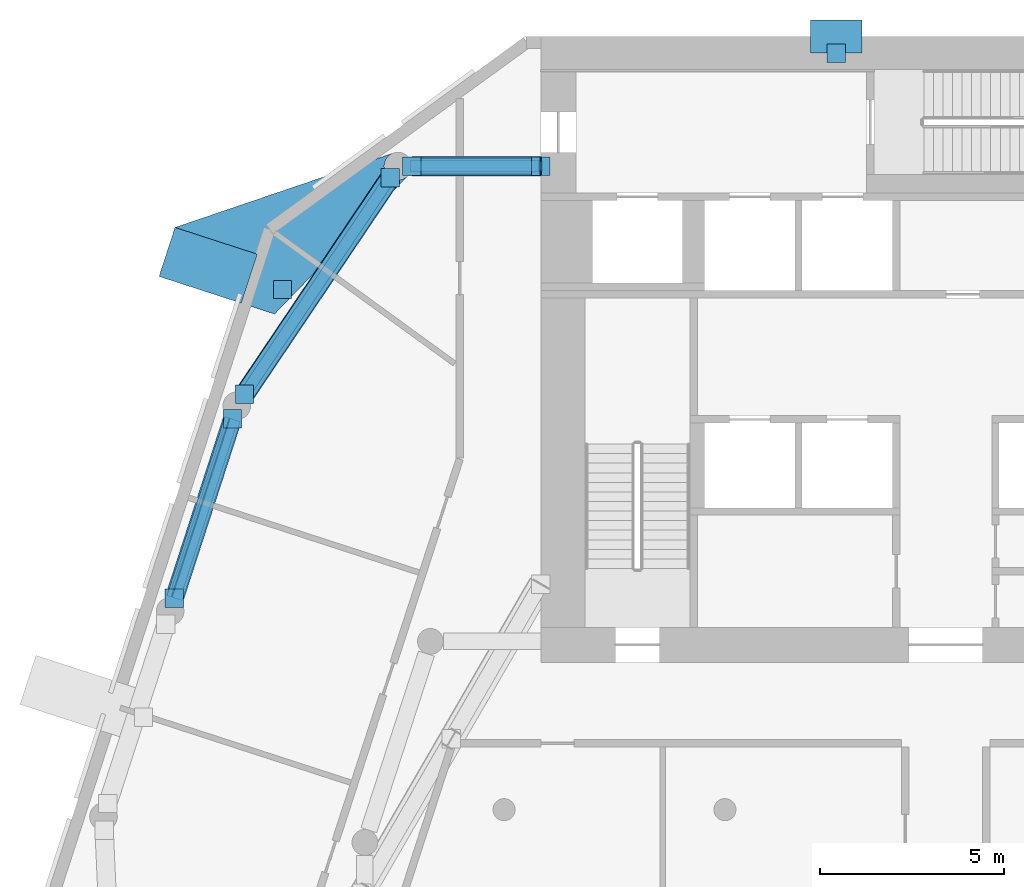
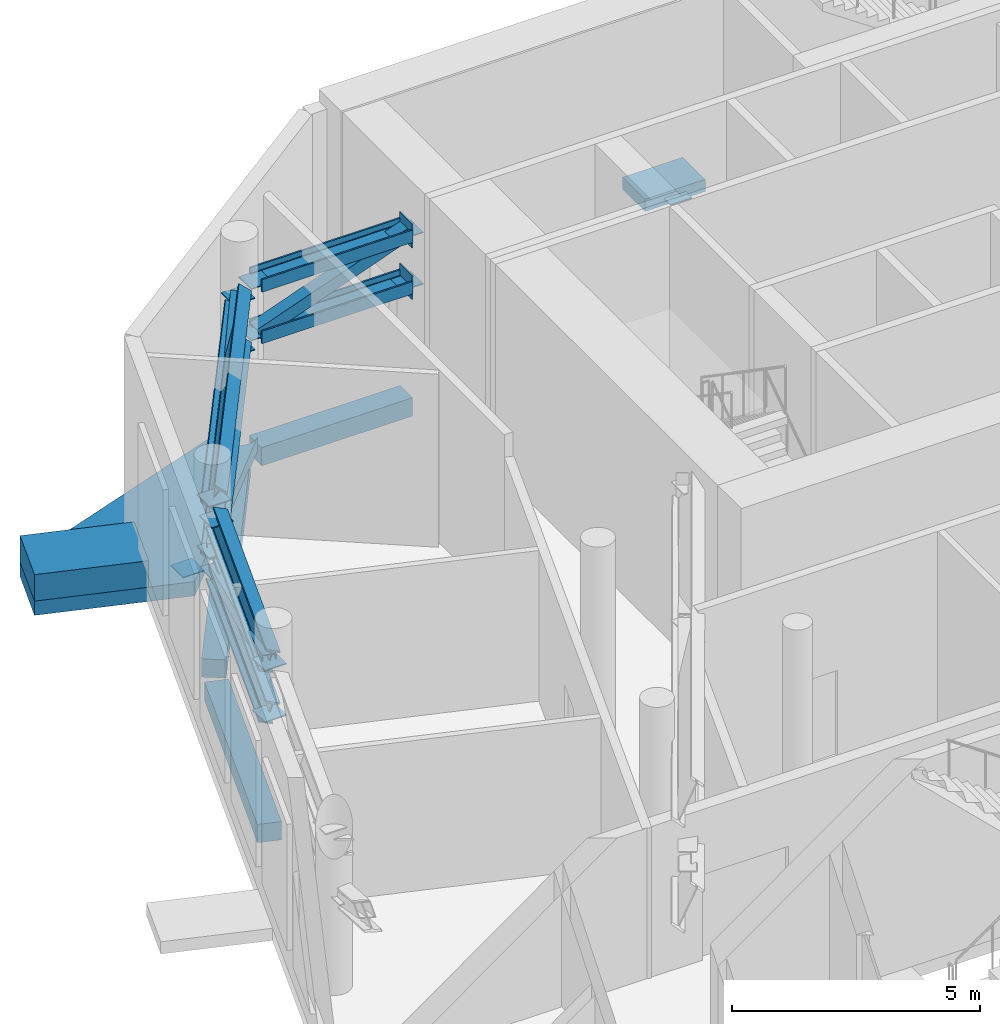
# One storey, part 6 of 17: 16 discrete accessories, 12 members, 3 beams.
"""IFC4 building model written with IfcOpenShell, lengths in metres."""

from ifc_helpers import new_model, si_unit, direction, frame, origin, origin_2d, place, context, subcontext, project, spatial, polyline, rectangle, hollow_rectangle, i_section, outline, extrude, material, layer, layer_set, material_profile, profile_set, type_object, element, aggregate, save


model = new_model("IFC4")

# Units and contexts
model_context = context("Model", 3, precision=1e-05, world=origin(), true_north=direction((0.0, 1.0)))
body_context = subcontext(model_context, "Body", "Model", "MODEL_VIEW")
ifc_project = project(units=[si_unit("LENGTHUNIT", "METRE"), si_unit("AREAUNIT", "SQUARE_METRE"), si_unit("VOLUMEUNIT", "CUBIC_METRE"), si_unit("PLANEANGLEUNIT", "RADIAN"), si_unit("MASSUNIT", "GRAM", prefix="KILO")], contexts=[model_context])

# Site, building, storey
site_placement = place(None, origin())
site = spatial("IfcSite", under=ifc_project, at=site_placement, CompositionType="ELEMENT")
building_placement = place(site_placement, origin())
building = spatial("IfcBuilding", under=site, at=building_placement, Name="White Candle Pilgrim Tower", CompositionType="ELEMENT")
storey_placement = place(building_placement, frame((0.0, 0.0, 191.5)))
storey = spatial("IfcBuildingStorey", under=building, at=storey_placement, Name="L44", CompositionType="ELEMENT", Elevation=191.5)

# Member
ifc_material_1 = material(Name="Steel S355", Category="steel")
ifc_material_profile_1 = material_profile(ifc_material_1, i_section(OverallWidth=0.305908203125, OverallDepth=0.52392578125, WebThickness=0.02099609375, FlangeThickness=0.0400390625, FilletRadius=0.027099609375, at=origin_2d()), Name="HEM 500")
ifc_profile_set_1 = profile_set([ifc_material_profile_1], Name="Steel S355")
member_type_1 = type_object("IfcMemberType", Name="Belt truss chord HEM 500 S355", PredefinedType="CHORD", material=ifc_profile_set_1)
member_1_placement = place(storey_placement, frame((55.4951171875, 84.47998046875, 2.412109375), z_axis=(1.0, 0.0, 0.0), x_axis=(0.0, 0.0, 1.0)))
member_1 = element("IfcMember", 1, at=member_1_placement, inside=storey, type_object=member_type_1, Name="L44 belt truss bottom chord 11", PredefinedType="CHORD", context=body_context, shape_type="SweptSolid", body=[
    extrude(i_section(OverallWidth=0.305908203125, OverallDepth=0.52392578125, WebThickness=0.02099609375, FlangeThickness=0.0400390625, FilletRadius=0.027099609375, at=origin_2d()), origin(), (0.0, 0.0, 1.0), 3.5048828125),
])

member_2_placement = place(storey_placement, frame((55.4951171875, 84.47998046875, 3.677978515625), z_axis=(1.0, 0.0, 0.0), x_axis=(0.0, 0.0, 1.0)))
member_2 = element("IfcMember", 2, at=member_2_placement, inside=storey, type_object=member_type_1, Name="L44 belt truss top chord 11", PredefinedType="CHORD", context=body_context, shape_type="SweptSolid", body=[
    extrude(i_section(OverallWidth=0.305908203125, OverallDepth=0.52392578125, WebThickness=0.02099609375, FlangeThickness=0.0400390625, FilletRadius=0.027099609375, at=origin_2d()), origin(), (0.0, 0.0, 1.0), 3.5048828125),
])

member_3_placement = place(storey_placement, frame((54.91064453125, 84.1689453125, 2.412109375), z_axis=(-0.55822018442, -0.82969285022, 0.0), x_axis=(0.688386541109, -0.463148816853, -0.558226784979)))
member_3 = element("IfcMember", 3, at=member_3_placement, inside=storey, type_object=member_type_1, Name="L44 belt truss bottom chord 12", PredefinedType="CHORD", context=body_context, shape_type="SweptSolid", body=[
    extrude(i_section(OverallWidth=0.305908203125, OverallDepth=0.52392578125, WebThickness=0.02099609375, FlangeThickness=0.0400390625, FilletRadius=0.027099609375, at=origin_2d()), origin(), (0.0, 0.0, 1.0), 7.096435546875),
])

member_4_placement = place(storey_placement, frame((54.91064453125, 84.1689453125, 3.677978515625), z_axis=(-0.55822018442, -0.82969285022, 0.0), x_axis=(0.688386541109, -0.463148816853, -0.558226784979)))
member_4 = element("IfcMember", 4, at=member_4_placement, inside=storey, type_object=member_type_1, Name="L44 belt truss top chord 12", PredefinedType="CHORD", context=body_context, shape_type="SweptSolid", body=[
    extrude(i_section(OverallWidth=0.305908203125, OverallDepth=0.52392578125, WebThickness=0.02099609375, FlangeThickness=0.0400390625, FilletRadius=0.027099609375, at=origin_2d()), origin(), (0.0, 0.0, 1.0), 7.096435546875),
])

member_5_placement = place(storey_placement, frame((50.624267578125, 77.61328125, 2.412109375), z_axis=(-0.308544373382, -0.951209950355, 0.0), x_axis=(0.904802878011, -0.293491291724, -0.308536243617)))
member_5 = element("IfcMember", 5, at=member_5_placement, inside=storey, type_object=member_type_1, Name="L44 belt truss bottom chord 13", PredefinedType="CHORD", context=body_context, shape_type="SweptSolid", body=[
    extrude(i_section(OverallWidth=0.305908203125, OverallDepth=0.52392578125, WebThickness=0.02099609375, FlangeThickness=0.0400390625, FilletRadius=0.027099609375, at=origin_2d()), origin(), (0.0, 0.0, 1.0), 5.1162109375),
])

member_6_placement = place(storey_placement, frame((50.624267578125, 77.61328125, 3.677978515625), z_axis=(-0.308544373382, -0.951209950355, 0.0), x_axis=(0.904802878011, -0.293491291724, -0.308536243617)))
member_6 = element("IfcMember", 6, at=member_6_placement, inside=storey, type_object=member_type_1, Name="L44 belt truss top chord 13", PredefinedType="CHORD", context=body_context, shape_type="SweptSolid", body=[
    extrude(i_section(OverallWidth=0.305908203125, OverallDepth=0.52392578125, WebThickness=0.02099609375, FlangeThickness=0.0400390625, FilletRadius=0.027099609375, at=origin_2d()), origin(), (0.0, 0.0, 1.0), 5.1162109375),
])

# Members
ifc_material_profile_2 = material_profile(ifc_material_1, hollow_rectangle(XDim=0.300048828125, YDim=0.300048828125, WallThickness=0.01611328125, at=origin_2d()), Name="SHS 300x300x16")
ifc_profile_set_2 = profile_set([ifc_material_profile_2], Name="Steel S355")
member_type_2 = type_object("IfcMemberType", Name="Belt truss diagonal SHS 300x300x16 S355", PredefinedType="BRACE", material=ifc_profile_set_2)
member_7_placement = place(storey_placement, frame((55.4951171875, 84.47998046875, 2.412109375), z_axis=(0.940535294665, 0.0, 0.339695980972), x_axis=(0.0, 1.0, 0.0)))
element("IfcMember", 7, at=member_7_placement, inside=storey, type_object=member_type_2, Name="L44 belt truss diagonal 11", PredefinedType="BRACE", context=body_context, shape_type="SweptSolid", body=[
    extrude(hollow_rectangle(XDim=0.300048828125, YDim=0.300048828125, WallThickness=0.01611328125, at=origin_2d()), origin(), (0.0, 0.0, 1.0), 3.7265625),
])
member_8_placement = place(storey_placement, frame((54.91064453125, 84.1689453125, 3.677978515625), z_axis=(-0.549545668384, -0.816799758684, -0.175606698544), x_axis=(0.82969285022, -0.55822018442, 0.0)))
element("IfcMember", 8, at=member_8_placement, inside=storey, type_object=member_type_2, Name="L44 belt truss diagonal 12", PredefinedType="BRACE", context=body_context, shape_type="SweptSolid", body=[
    extrude(hollow_rectangle(XDim=0.300048828125, YDim=0.300048828125, WallThickness=0.01611328125, at=origin_2d()), origin(), (0.0, 0.0, 1.0), 7.20849609375),
])
member_9_placement = place(storey_placement, frame((50.624267578125, 77.61328125, 2.412109375), z_axis=(-0.299513111778, -0.923367517814, 0.240175608501), x_axis=(0.951209950355, -0.308544373382, 0.0)))
element("IfcMember", 9, at=member_9_placement, inside=storey, type_object=member_type_2, Name="L44 belt truss diagonal 13", PredefinedType="BRACE", context=body_context, shape_type="SweptSolid", body=[
    extrude(hollow_rectangle(XDim=0.300048828125, YDim=0.300048828125, WallThickness=0.01611328125, at=origin_2d()), origin(), (0.0, 0.0, 1.0), 5.2705078125),
])

# Member
ifc_material_2 = material(Name="Concrete C70/85, white", Category="concrete")
ifc_layer_1 = layer(ifc_material_2, 0.300048828125)
ifc_layer_set_1 = layer_set([ifc_layer_1], Name="Node tie strut 3300x1400x300 C70/85")
member_type_3 = type_object("IfcMemberType", Name="Node tie strut 3300x1400x300 C70/85", PredefinedType="STRUT", material=ifc_layer_set_1)
member_10_placement = place(storey_placement, frame((0.0, 0.0, -0.35009765625)))
member_10 = element("IfcMember", 10, at=member_10_placement, inside=storey, type_object=member_type_3, Name="Node tie strut NC149", PredefinedType="STRUT", context=body_context, shape_type="SweptSolid", body=[
    extrude(outline(polyline([(51.76708984375, 80.464111328125), (55.38525390625, 84.21484375), (55.3671875, 84.197998046875), (55.348388671875, 84.1826171875), (55.328369140625, 84.168212890625), (55.3076171875, 84.1552734375), (55.285888671875, 84.143798828125), (55.263427734375, 84.133544921875), (55.240478515625, 84.125), (55.217041015625, 84.117919921875), (55.193115234375, 84.1123046875), (55.1689453125, 84.108154296875), (55.14453125, 84.105712890625), (55.1201171875, 84.10498046875), (55.095458984375, 84.105712890625), (55.071044921875, 84.108154296875), (55.046875, 84.1123046875), (55.02294921875, 84.117919921875), (54.99951171875, 84.125), (54.9765625, 84.133544921875), (54.9541015625, 84.143798828125), (54.9326171875, 84.1552734375), (54.91162109375, 84.168212890625), (54.8916015625, 84.1826171875), (54.872802734375, 84.197998046875), (54.854736328125, 84.21484375), (54.838134765625, 84.232666015625), (54.822509765625, 84.251708984375), (54.80810546875, 84.271728515625), (54.795166015625, 84.29248046875), (54.78369140625, 84.314208984375), (54.7734375, 84.33642578125), (54.764892578125, 84.359619140625), (54.7578125, 84.3828125), (54.752197265625, 84.40673828125), (54.748291015625, 84.43115234375), (54.745849609375, 84.45556640625), (54.7451171875, 84.47998046875), (54.745849609375, 84.50439453125), (54.748291015625, 84.52880859375), (54.752197265625, 84.55322265625), (54.7578125, 84.5771484375), (54.764892578125, 84.6005859375), (54.7734375, 84.62353515625), (54.78369140625, 84.64599609375), (54.795166015625, 84.66748046875), (54.80810546875, 84.688232421875), (54.822509765625, 84.708251953125), (54.838134765625, 84.727294921875), (54.854736328125, 84.7451171875), (54.872802734375, 84.761962890625), (54.8916015625, 84.777587890625), (54.91162109375, 84.791748046875), (54.9326171875, 84.8046875), (54.9541015625, 84.81640625), (54.9765625, 84.826416015625), (54.99951171875, 84.835205078125), (49.061279296875, 82.8154296875), (48.628662109375, 81.48388671875), (51.76708984375, 80.464111328125)])), origin(), (0.0, 0.0, 1.0), 0.35009765625),
])

member_11_placement = place(storey_placement, origin())
element("IfcMember", 11, at=member_11_placement, inside=storey, type_object=member_type_3, Name="Node tie strut NC149", PredefinedType="STRUT", context=body_context, shape_type="SweptSolid", body=[
    extrude(outline(polyline([(50.86376953125, 80.7578125), (51.29638671875, 82.089111328125), (49.061279296875, 82.8154296875), (48.628662109375, 81.48388671875), (50.86376953125, 80.7578125)])), origin(), (0.0, 0.0, 1.0), 0.64990234375),
])

ifc_layer_2 = layer(ifc_material_2, 0.300048828125)
ifc_layer_set_2 = layer_set([ifc_layer_2], Name="Node tie strut 900x1400x300 C70/85")
member_type_4 = type_object("IfcMemberType", Name="Node tie strut 900x1400x300 C70/85", PredefinedType="STRUT", material=ifc_layer_set_2)
member_12_placement = place(storey_placement, frame((67.02099609375, 88.0, -0.2998046875), z_axis=(0.0, 0.0, 1.0), x_axis=(-1.0, 0.0, 0.0)))
member_12 = element("IfcMember", 12, at=member_12_placement, inside=storey, type_object=member_type_4, Name="Node tie strut NC144", PredefinedType="STRUT", context=body_context, shape_type="SweptSolid", body=[
    extrude(rectangle(XDim=1.39990234375, YDim=0.89990234375, at=origin_2d()), origin(), (0.0, 0.0, 1.0), 0.300048828125),
])

# Beams
ifc_material_3 = material(Name="Concrete C50/60", Category="concrete")
ifc_material_profile_3 = material_profile(ifc_material_3, rectangle(XDim=0.5, YDim=0.449951171875, at=origin_2d()), Name="RC-BM 500x450")
ifc_profile_set_3 = profile_set([ifc_material_profile_3], Name="Concrete C50/60")
beam_type = type_object("IfcBeamType", Name="Spandrel beam RC-BM 500x450 C50/60", PredefinedType="BEAM", material=ifc_profile_set_3)
beam_1_placement = place(storey_placement, frame((55.4951171875, 84.47998046875, -0.52490234375), z_axis=(1.0, 0.0, 0.0), x_axis=(0.0, 1.0, 0.0)))
element("IfcBeam", 13, at=beam_1_placement, inside=storey, type_object=beam_type, Name="L44 spandrel beam T11", PredefinedType="BEAM", context=body_context, shape_type="SweptSolid", body=[
    extrude(rectangle(XDim=0.5, YDim=0.449951171875, at=origin_2d()), origin(), (0.0, 0.0, 1.0), 3.5048828125),
])
beam_2_placement = place(storey_placement, frame((54.91064453125, 84.1689453125, -0.52490234375), z_axis=(-0.55822018442, -0.82969285022, 0.0), x_axis=(0.82969285022, -0.55822018442, 0.0)))
element("IfcBeam", 14, at=beam_2_placement, inside=storey, type_object=beam_type, Name="L44 spandrel beam T12", PredefinedType="BEAM", context=body_context, shape_type="SweptSolid", body=[
    extrude(rectangle(XDim=0.5, YDim=0.449951171875, at=origin_2d()), origin(), (0.0, 0.0, 1.0), 7.096435546875),
])
beam_3_placement = place(storey_placement, frame((50.624267578125, 77.61328125, -0.52490234375), z_axis=(-0.308544373382, -0.951209950355, 0.0), x_axis=(0.951209950355, -0.308544373382, 0.0)))
element("IfcBeam", 15, at=beam_3_placement, inside=storey, type_object=beam_type, Name="L44 spandrel beam T13", PredefinedType="BEAM", context=body_context, shape_type="SweptSolid", body=[
    extrude(rectangle(XDim=0.5, YDim=0.449951171875, at=origin_2d()), origin(), (0.0, 0.0, 1.0), 5.1162109375),
])

# Discrete accessory
ifc_layer_3 = layer(ifc_material_1, 0.030029296875)
ifc_layer_set_3 = layer_set([ifc_layer_3], Name="Cast-in plate 500x600x30 S355")
discrete_accessory_type_1 = type_object("IfcDiscreteAccessoryType", Name="Cast-in plate 500x600x30 S355", PredefinedType="ANCHORPLATE", material=ifc_layer_set_3)
discrete_accessory_1_placement = place(storey_placement, frame((59.0, 84.47998046875, 2.112060546875), z_axis=(0.0, 0.0, 1.0), x_axis=(-1.0, 0.0, 0.0)))
discrete_accessory_1 = element("IfcDiscreteAccessory", 16, at=discrete_accessory_1_placement, type_object=discrete_accessory_type_1, Name="Cast-in plate 0023", PredefinedType="ANCHORPLATE", context=body_context, shape_type="SweptSolid", body=[
    extrude(rectangle(XDim=0.030029296875, YDim=0.5, at=origin_2d()), origin(), (0.0, 0.0, 1.0), 0.60009765625),
])

discrete_accessory_2_placement = place(storey_placement, frame((59.0, 84.47998046875, 3.3779296875), z_axis=(0.0, 0.0, 1.0), x_axis=(-1.0, 0.0, 0.0)))
discrete_accessory_2 = element("IfcDiscreteAccessory", 17, at=discrete_accessory_2_placement, type_object=discrete_accessory_type_1, Name="Cast-in plate 0024", PredefinedType="ANCHORPLATE", context=body_context, shape_type="SweptSolid", body=[
    extrude(rectangle(XDim=0.030029296875, YDim=0.5, at=origin_2d()), origin(), (0.0, 0.0, 1.0), 0.60009765625),
])

ifc_layer_4 = layer(ifc_material_1, 0.02490234375)
ifc_layer_set_4 = layer_set([ifc_layer_4], Name="Gusset plate 500x500x25 S355")
discrete_accessory_type_2 = type_object("IfcDiscreteAccessoryType", Name="Gusset plate 500x500x25 S355", PredefinedType="BRACKET", material=ifc_layer_set_4)
discrete_accessory_3_placement = place(storey_placement, frame((67.02099609375, 87.550048828125, -0.162353515625), z_axis=(0.0, 0.0, 1.0), x_axis=(1.0, 0.0, 0.0)))
discrete_accessory_3 = element("IfcDiscreteAccessory", 18, at=discrete_accessory_3_placement, type_object=discrete_accessory_type_2, Name="Gusset plate 0525", PredefinedType="BRACKET", context=body_context, shape_type="SweptSolid", body=[
    extrude(rectangle(XDim=0.5, YDim=0.5, at=origin_2d()), origin(), (0.0, 0.0, 1.0), 0.02490234375),
])

aggregate(member_12, [discrete_accessory_3])

discrete_accessory_4_placement = place(storey_placement, frame((51.9833984375, 81.1298828125, -0.162353515625), z_axis=(0.0, 0.0, 1.0), x_axis=(1.0, 0.0, 0.0)))
discrete_accessory_4 = element("IfcDiscreteAccessory", 19, at=discrete_accessory_4_placement, type_object=discrete_accessory_type_2, Name="Gusset plate 0530", PredefinedType="BRACKET", context=body_context, shape_type="SweptSolid", body=[
    extrude(rectangle(XDim=0.5, YDim=0.5, at=origin_2d()), origin(), (0.0, 0.0, 1.0), 0.02490234375),
])

aggregate(member_10, [discrete_accessory_4])

discrete_accessory_5_placement = place(storey_placement, frame((55.4951171875, 84.47998046875, 2.399658203125), z_axis=(0.0, 0.0, 1.0), x_axis=(1.0, 0.0, 0.0)))
discrete_accessory_5 = element("IfcDiscreteAccessory", 20, at=discrete_accessory_5_placement, type_object=discrete_accessory_type_2, Name="Gusset plate 0818", PredefinedType="BRACKET", context=body_context, shape_type="SweptSolid", body=[
    extrude(rectangle(XDim=0.5, YDim=0.5, at=origin_2d()), origin(), (0.0, 0.0, 1.0), 0.02490234375),
])

discrete_accessory_6_placement = place(storey_placement, frame((59.0, 84.47998046875, 2.399658203125), z_axis=(0.0, 0.0, 1.0), x_axis=(1.0, 0.0, 0.0)))
discrete_accessory_6 = element("IfcDiscreteAccessory", 21, at=discrete_accessory_6_placement, type_object=discrete_accessory_type_2, Name="Gusset plate 0819", PredefinedType="BRACKET", context=body_context, shape_type="SweptSolid", body=[
    extrude(rectangle(XDim=0.5, YDim=0.5, at=origin_2d()), origin(), (0.0, 0.0, 1.0), 0.02490234375),
])

aggregate(member_1, [discrete_accessory_5, discrete_accessory_6, discrete_accessory_1])

discrete_accessory_7_placement = place(storey_placement, frame((55.4951171875, 84.47998046875, 3.66552734375), z_axis=(0.0, 0.0, 1.0), x_axis=(1.0, 0.0, 0.0)))
discrete_accessory_7 = element("IfcDiscreteAccessory", 22, at=discrete_accessory_7_placement, type_object=discrete_accessory_type_2, Name="Gusset plate 0820", PredefinedType="BRACKET", context=body_context, shape_type="SweptSolid", body=[
    extrude(rectangle(XDim=0.5, YDim=0.5, at=origin_2d()), origin(), (0.0, 0.0, 1.0), 0.02490234375),
])

discrete_accessory_8_placement = place(storey_placement, frame((59.0, 84.47998046875, 3.66552734375), z_axis=(0.0, 0.0, 1.0), x_axis=(1.0, 0.0, 0.0)))
discrete_accessory_8 = element("IfcDiscreteAccessory", 23, at=discrete_accessory_8_placement, type_object=discrete_accessory_type_2, Name="Gusset plate 0821", PredefinedType="BRACKET", context=body_context, shape_type="SweptSolid", body=[
    extrude(rectangle(XDim=0.5, YDim=0.5, at=origin_2d()), origin(), (0.0, 0.0, 1.0), 0.02490234375),
])

aggregate(member_2, [discrete_accessory_7, discrete_accessory_8, discrete_accessory_2])

discrete_accessory_9_placement = place(storey_placement, frame((54.91064453125, 84.1689453125, 2.399658203125), z_axis=(0.0, 0.0, 1.0), x_axis=(1.0, 0.0, 0.0)))
discrete_accessory_9 = element("IfcDiscreteAccessory", 24, at=discrete_accessory_9_placement, type_object=discrete_accessory_type_2, Name="Gusset plate 0822", PredefinedType="BRACKET", context=body_context, shape_type="SweptSolid", body=[
    extrude(rectangle(XDim=0.5, YDim=0.5, at=origin_2d()), origin(), (0.0, 0.0, 1.0), 0.02490234375),
])

discrete_accessory_10_placement = place(storey_placement, frame((50.94921875, 78.281005859375, 2.399658203125), z_axis=(0.0, 0.0, 1.0), x_axis=(1.0, 0.0, 0.0)))
discrete_accessory_10 = element("IfcDiscreteAccessory", 25, at=discrete_accessory_10_placement, type_object=discrete_accessory_type_2, Name="Gusset plate 0823", PredefinedType="BRACKET", context=body_context, shape_type="SweptSolid", body=[
    extrude(rectangle(XDim=0.5, YDim=0.5, at=origin_2d()), origin(), (0.0, 0.0, 1.0), 0.02490234375),
])

aggregate(member_3, [discrete_accessory_9, discrete_accessory_10])

discrete_accessory_11_placement = place(storey_placement, frame((54.91064453125, 84.1689453125, 3.66552734375), z_axis=(0.0, 0.0, 1.0), x_axis=(1.0, 0.0, 0.0)))
discrete_accessory_11 = element("IfcDiscreteAccessory", 26, at=discrete_accessory_11_placement, type_object=discrete_accessory_type_2, Name="Gusset plate 0824", PredefinedType="BRACKET", context=body_context, shape_type="SweptSolid", body=[
    extrude(rectangle(XDim=0.5, YDim=0.5, at=origin_2d()), origin(), (0.0, 0.0, 1.0), 0.02490234375),
])

discrete_accessory_12_placement = place(storey_placement, frame((50.94921875, 78.281005859375, 3.66552734375), z_axis=(0.0, 0.0, 1.0), x_axis=(1.0, 0.0, 0.0)))
discrete_accessory_12 = element("IfcDiscreteAccessory", 27, at=discrete_accessory_12_placement, type_object=discrete_accessory_type_2, Name="Gusset plate 0825", PredefinedType="BRACKET", context=body_context, shape_type="SweptSolid", body=[
    extrude(rectangle(XDim=0.5, YDim=0.5, at=origin_2d()), origin(), (0.0, 0.0, 1.0), 0.02490234375),
])

aggregate(member_4, [discrete_accessory_11, discrete_accessory_12])

discrete_accessory_13_placement = place(storey_placement, frame((50.624267578125, 77.61328125, 2.399658203125), z_axis=(0.0, 0.0, 1.0), x_axis=(1.0, 0.0, 0.0)))
discrete_accessory_13 = element("IfcDiscreteAccessory", 28, at=discrete_accessory_13_placement, type_object=discrete_accessory_type_2, Name="Gusset plate 0826", PredefinedType="BRACKET", context=body_context, shape_type="SweptSolid", body=[
    extrude(rectangle(XDim=0.5, YDim=0.5, at=origin_2d()), origin(), (0.0, 0.0, 1.0), 0.02490234375),
])

discrete_accessory_14_placement = place(storey_placement, frame((49.045654296875, 72.74658203125, 2.399658203125), z_axis=(0.0, 0.0, 1.0), x_axis=(1.0, 0.0, 0.0)))
discrete_accessory_14 = element("IfcDiscreteAccessory", 29, at=discrete_accessory_14_placement, type_object=discrete_accessory_type_2, Name="Gusset plate 0827", PredefinedType="BRACKET", context=body_context, shape_type="SweptSolid", body=[
    extrude(rectangle(XDim=0.5, YDim=0.5, at=origin_2d()), origin(), (0.0, 0.0, 1.0), 0.02490234375),
])

aggregate(member_5, [discrete_accessory_13, discrete_accessory_14])

discrete_accessory_15_placement = place(storey_placement, frame((50.624267578125, 77.61328125, 3.66552734375), z_axis=(0.0, 0.0, 1.0), x_axis=(1.0, 0.0, 0.0)))
discrete_accessory_15 = element("IfcDiscreteAccessory", 30, at=discrete_accessory_15_placement, type_object=discrete_accessory_type_2, Name="Gusset plate 0828", PredefinedType="BRACKET", context=body_context, shape_type="SweptSolid", body=[
    extrude(rectangle(XDim=0.5, YDim=0.5, at=origin_2d()), origin(), (0.0, 0.0, 1.0), 0.02490234375),
])

discrete_accessory_16_placement = place(storey_placement, frame((49.045654296875, 72.74658203125, 3.66552734375), z_axis=(0.0, 0.0, 1.0), x_axis=(1.0, 0.0, 0.0)))
discrete_accessory_16 = element("IfcDiscreteAccessory", 31, at=discrete_accessory_16_placement, type_object=discrete_accessory_type_2, Name="Gusset plate 0829", PredefinedType="BRACKET", context=body_context, shape_type="SweptSolid", body=[
    extrude(rectangle(XDim=0.5, YDim=0.5, at=origin_2d()), origin(), (0.0, 0.0, 1.0), 0.02490234375),
])

aggregate(member_6, [discrete_accessory_15, discrete_accessory_16])

save(model, "model.ifc")
